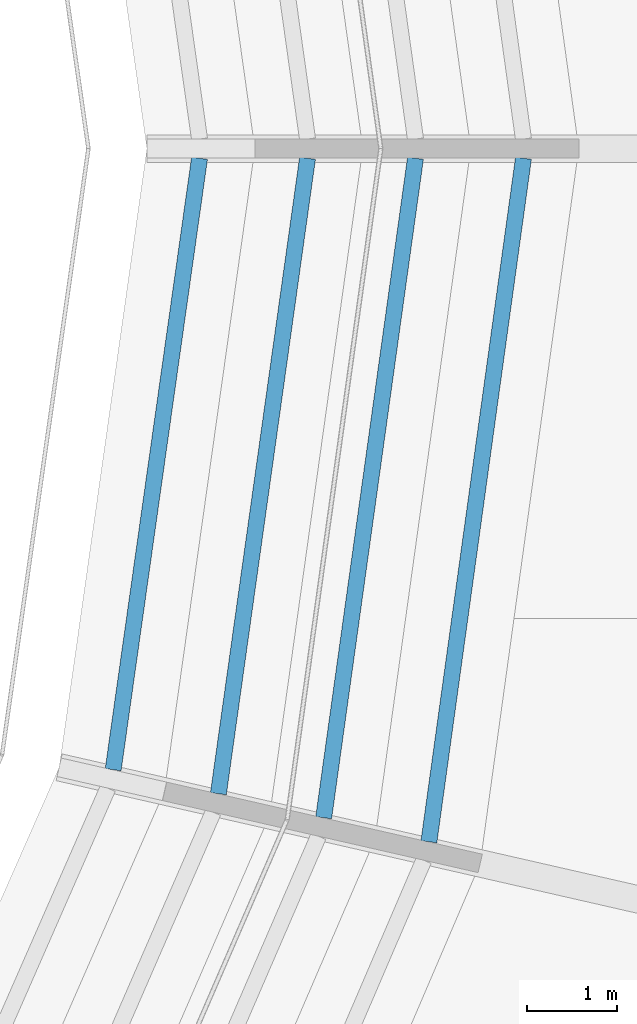
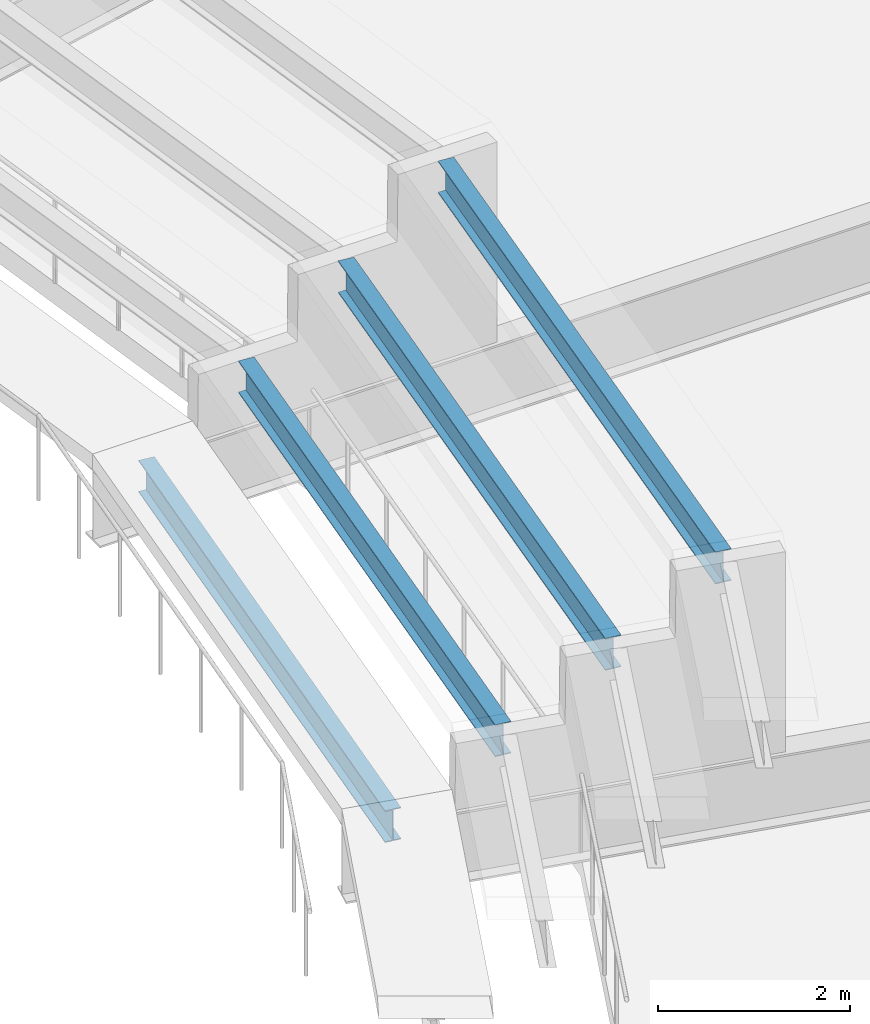
# One storey, part 40 of 122: 4 beams.
"""IFC4 building model written with IfcOpenShell, lengths in metres."""

import ifcopenshell
import ifcopenshell.guid

model = None  # the IFC model being written
_history = None  # IfcOwnerHistory: only IFC2X3 demands one
_inside = {}  # id of a spatial element -> (the spatial element, [elements in it])
_under = {}  # id of a project, library or spatial element -> (it, [spatial elements below it])
_declared = {}  # id of a project -> (the project, [libraries it declares])
_typed = {}  # id of a type object -> (the type object, [elements of that type])
_made_of = {}  # id of a material, layer set ... -> (it, [elements and type objects made of it])


def new_model(schema):
    """Start an empty IFC model of exactly this schema.

    Asked for "IFC4X3", IfcOpenShell would pick the latest addendum, in which some entities
    have other attributes; the version numbers below select the first issue.
    IFC2X3 requires an IfcOwnerHistory on every rooted entity: one is made here for all.
    """
    global model, _history
    if schema == "IFC4X3":
        model = ifcopenshell.file(schema_version=(4, 3, 0, 0))
    else:
        model = ifcopenshell.file(schema=schema)
    _inside.clear()
    _under.clear()
    _declared.clear()
    _typed.clear()
    _made_of.clear()
    _history = None
    if model.schema == "IFC2X3":
        org = make("IfcOrganization", Name="unknown")
        user = make(
            "IfcPersonAndOrganization",
            ThePerson=make("IfcPerson", FamilyName="unknown"),
            TheOrganization=org,
        )
        app = make(
            "IfcApplication",
            ApplicationDeveloper=org,
            Version="unknown",
            ApplicationFullName="unknown",
            ApplicationIdentifier="unknown",
        )
        _history = make(
            "IfcOwnerHistory",
            OwningUser=user,
            OwningApplication=app,
            ChangeAction="ADDED",
            CreationDate=0,
        )
    return model


def make(cls, **values):
    """One entity of the class cls with the attributes given. An attribute that is None is left unset."""
    return model.create_entity(
        cls, **{name: value for name, value in values.items() if value is not None}
    )


def rooted(cls, **values):
    """An entity with a GlobalId (a new one), such as an element, a storey or a relation."""
    return make(cls, GlobalId=ifcopenshell.guid.new(), OwnerHistory=_history, **values)


def si_unit(unit_type, name, prefix=None):
    """IfcSIUnit, for example si_unit("LENGTHUNIT", "METRE", prefix="MILLI")."""
    return make("IfcSIUnit", UnitType=unit_type, Prefix=prefix, Name=name)


def assignment(units):
    """IfcUnitAssignment: the units of a project."""
    return None if units is None else make("IfcUnitAssignment", Units=units)


def point(xyz):
    """IfcCartesianPoint."""
    return None if xyz is None else make("IfcCartesianPoint", Coordinates=xyz)


def direction(xyz):
    """IfcDirection."""
    return None if xyz is None else make("IfcDirection", DirectionRatios=xyz)


def frame(location, z_axis=None, x_axis=None):
    """IfcAxis2Placement3D, a coordinate frame: its origin and axes. An axis left out is left unset."""
    return make(
        "IfcAxis2Placement3D",
        Location=point(location),
        Axis=direction(z_axis),
        RefDirection=direction(x_axis),
    )


def frame_2d(location, x_axis=None):
    """IfcAxis2Placement2D, a coordinate frame in the plane: its origin and x axis."""
    return make(
        "IfcAxis2Placement2D", Location=point(location), RefDirection=direction(x_axis)
    )


def origin():
    """The frame at (0, 0, 0) with its axes left unset."""
    return frame((0.0, 0.0, 0.0))


def origin_2d():
    """The frame at (0, 0) in the plane with its x axis left unset."""
    return frame_2d((0.0, 0.0))


def place(relative_to, where):
    """IfcLocalPlacement: puts the frame where relative to a parent placement (None: the world)."""
    return make(
        "IfcLocalPlacement", PlacementRelTo=relative_to, RelativePlacement=where
    )


def context(
    kind, dimensions, precision=None, world=None, true_north=None, identifier=None
):
    """IfcGeometricRepresentationContext, for example the 3D "Model" context."""
    return make(
        "IfcGeometricRepresentationContext",
        ContextIdentifier=identifier,
        ContextType=kind,
        CoordinateSpaceDimension=dimensions,
        Precision=precision,
        WorldCoordinateSystem=world,
        TrueNorth=true_north,
    )


def subcontext(parent, identifier, kind, view, scale=None):
    """IfcGeometricRepresentationSubContext, for example "Body" below "Model"."""
    return make(
        "IfcGeometricRepresentationSubContext",
        ContextIdentifier=identifier,
        ContextType=kind,
        ParentContext=parent,
        TargetScale=scale,
        TargetView=view,
    )


def project(units=None, contexts=None):
    """IfcProject with its units and contexts."""
    return rooted(
        "IfcProject",
        Name="project",
        RepresentationContexts=contexts,
        UnitsInContext=assignment(units),
    )


def spatial(cls, under=None, at=None, **own):
    """A site, building, storey or space (cls), placed at a placement, below another one or the project."""
    s = rooted(cls, ObjectPlacement=at, **own)
    if under is not None:
        _under.setdefault(under.id(), (under, []))[1].append(s)
    return s


def profile(cls, at=None, kind="AREA", **sizes):
    """A parametric profile (cls). Its sizes go by their IFC names, for example OverallWidth=200.0."""
    return make(cls, ProfileType=kind, Position=at, **sizes)


def i_section(**sizes):
    """IfcIShapeProfileDef."""
    return profile("IfcIShapeProfileDef", **sizes)


def extrude(swept, where, along, depth):
    """IfcExtrudedAreaSolid: the profile swept, set in the frame where, extruded along a direction by depth."""
    return make(
        "IfcExtrudedAreaSolid",
        SweptArea=swept,
        Position=where,
        ExtrudedDirection=direction(along),
        Depth=depth,
    )


def shape(context_of_items, identifier, shape_type, items):
    """IfcShapeRepresentation: the items that make up one representation, for example the "Body"."""
    return make(
        "IfcShapeRepresentation",
        ContextOfItems=context_of_items,
        RepresentationIdentifier=identifier,
        RepresentationType=shape_type,
        Items=items,
    )


def material(Name=None, Category=None):
    """IfcMaterial."""
    return make("IfcMaterial", Name=Name, Category=Category)


def material_profile(
    of_material, cross_section, Name=None, Category=None, Priority=None
):
    """IfcMaterialProfile: a cross section and its material."""
    return make(
        "IfcMaterialProfile",
        Name=Name,
        Material=of_material,
        Profile=cross_section,
        Priority=Priority,
        Category=Category,
    )


def profile_set(profiles, Name=None, composite=None):
    """IfcMaterialProfileSet."""
    return make(
        "IfcMaterialProfileSet",
        Name=Name,
        MaterialProfiles=profiles,
        CompositeProfile=composite,
    )


def made_of(thing, what):
    """Note that an element or type object is made of a material, layer set ...; save() writes the relation."""
    if what is not None:
        _made_of.setdefault(what.id(), (what, []))[1].append(thing)
    return thing


def type_object(cls, material=None, **own):
    """A type object (cls), such as IfcWallType, which elements share."""
    return made_of(rooted(cls, **own), material)


def element(
    cls,
    number,
    at=None,
    inside=None,
    cuts=None,
    type_object=None,
    material=None,
    context=None,
    identifier="Body",
    shape_type=None,
    held_by="IfcProductDefinitionShape",
    body=None,
    shapes=None,
    **own,
):
    """One element of the class cls, such as IfcWall. Its Tag is "e" and its number.

    at: its placement. inside: the storey or other place that contains it. cuts: it is an
    opening in that element (IfcRelVoidsElement). A single representation is given by context,
    identifier, shape_type and body (its items); several are given by shapes. held_by: the class
    of the entity that holds the representations. save() writes the other relations.
    """
    e = rooted(cls, Tag="e%d" % number, ObjectPlacement=at, **own)
    if body is not None:
        shapes = [shape(context, identifier, shape_type, body)]
    if shapes is not None:
        e.Representation = make(held_by, Representations=shapes)
    if inside is not None:
        _inside.setdefault(inside.id(), (inside, []))[1].append(e)
    if cuts is not None:
        rooted(
            "IfcRelVoidsElement", RelatingBuildingElement=cuts, RelatedOpeningElement=e
        )
    if type_object is not None:
        _typed.setdefault(type_object.id(), (type_object, []))[1].append(e)
    return made_of(e, material)


def aggregate(whole, parts):
    """IfcRelAggregates: a whole, such as a stair, and the parts it consists of."""
    return rooted("IfcRelAggregates", RelatingObject=whole, RelatedObjects=parts)


def save(model, path):
    """Write the relations noted so far, then the file.

    IfcRelAggregates (storeys below a building ...), IfcRelContainedInSpatialStructure (elements
    in a storey), IfcRelDefinesByType, IfcRelAssociatesMaterial and IfcRelDeclares: one each for
    every whole, place, type object, material and project.
    """
    for whole, parts in _under.values():
        aggregate(whole, parts)
    for where, things in _inside.values():
        rooted(
            "IfcRelContainedInSpatialStructure",
            RelatedElements=things,
            RelatingStructure=where,
        )
    for kind, things in _typed.values():
        rooted("IfcRelDefinesByType", RelatedObjects=things, RelatingType=kind)
    for what, things in _made_of.values():
        rooted("IfcRelAssociatesMaterial", RelatedObjects=things, RelatingMaterial=what)
    for by, libraries in _declared.values():
        rooted("IfcRelDeclares", RelatingContext=by, RelatedDefinitions=libraries)
    model.write(path)


model = new_model("IFC4")

# Units and contexts
model_context = context("Model", 3, precision=1e-05, world=origin(), true_north=direction((0.0, 1.0)))
body_context = subcontext(model_context, "Body", "Model", "MODEL_VIEW")
ifc_project = project(units=[si_unit("LENGTHUNIT", "METRE"), si_unit("AREAUNIT", "SQUARE_METRE"), si_unit("VOLUMEUNIT", "CUBIC_METRE"), si_unit("PLANEANGLEUNIT", "RADIAN"), si_unit("MASSUNIT", "GRAM", prefix="KILO")], contexts=[model_context])

# Site, building, storey
site_placement = place(None, origin())
site = spatial("IfcSite", under=ifc_project, at=site_placement, CompositionType="ELEMENT")
building_placement = place(site_placement, origin())
building = spatial("IfcBuilding", under=site, at=building_placement, Name="Cuetzalor Civic Arena", CompositionType="ELEMENT")
storey_placement = place(building_placement, frame((0.0, 0.0, 16.199951171875)))
storey = spatial("IfcBuildingStorey", under=building, at=storey_placement, Name="L03", CompositionType="ELEMENT", Elevation=16.199951171875)

# Beams
ifc_material = material(Name="Steel S355", Category="steel")
ifc_material_profile = material_profile(ifc_material, i_section(OverallWidth=0.177978515625, OverallDepth=0.406982421875, WebThickness=0.0078125, FlangeThickness=0.0126953125, at=origin_2d()), Name="W410x60")
ifc_profile_set = profile_set([ifc_material_profile], Name="Steel S355")
beam_type = type_object("IfcBeamType", Name="SteelSecondaryBeam_W410", PredefinedType="BEAM", material=ifc_profile_set)
beam_1_placement = place(storey_placement, frame((38.52490234375, -6.902587890625, 0.70751953125), z_axis=(0.139872342407, 0.990169544992, 0.0), x_axis=(-0.990169544992, 0.139872342407, 0.0)))
element("IfcBeam", 1, at=beam_1_placement, inside=storey, type_object=beam_type, Name="Upper Bowl Tier Carrier Beam S28-R1", PredefinedType="BEAM", context=body_context, shape_type="SweptSolid", body=[
    extrude(i_section(OverallWidth=0.177978515625, OverallDepth=0.406982421875, WebThickness=0.0078125, FlangeThickness=0.0126953125, at=origin_2d()), origin(), (0.0, 0.0, 1.0), 6.863037109375),
])
beam_2_placement = place(storey_placement, frame((39.694580078125, -7.16943359375, 1.551513671875), z_axis=(0.138885554946, 0.990308438128, 0.0), x_axis=(-0.990308438128, 0.138885554946, 0.0)))
element("IfcBeam", 2, at=beam_2_placement, inside=storey, type_object=beam_type, Name="Upper Bowl Tier Carrier Beam S28-R2", PredefinedType="BEAM", context=body_context, shape_type="SweptSolid", body=[
    extrude(i_section(OverallWidth=0.177978515625, OverallDepth=0.406982421875, WebThickness=0.0078125, FlangeThickness=0.0126953125, at=origin_2d()), origin(), (0.0, 0.0, 1.0), 7.131591796875),
])
beam_3_placement = place(storey_placement, frame((40.864501953125, -7.4365234375, 2.401611328125), z_axis=(0.137901017398, 0.990446015389, 0.0), x_axis=(-0.990446015389, 0.137901017398, 0.0)))
element("IfcBeam", 3, at=beam_3_placement, inside=storey, type_object=beam_type, Name="Upper Bowl Tier Carrier Beam S28-R3", PredefinedType="BEAM", context=body_context, shape_type="SweptSolid", body=[
    extrude(i_section(OverallWidth=0.177978515625, OverallDepth=0.406982421875, WebThickness=0.0078125, FlangeThickness=0.0126953125, at=origin_2d()), origin(), (0.0, 0.0, 1.0), 7.400390625),
])
beam_4_placement = place(storey_placement, frame((42.0341796875, -7.70361328125, 3.25146484375), z_axis=(0.13704781732, 0.990564432921, 0.0), x_axis=(-0.990564432921, 0.13704781732, 0.0)))
element("IfcBeam", 4, at=beam_4_placement, inside=storey, type_object=beam_type, Name="Upper Bowl Tier Carrier Beam S28-R4", PredefinedType="BEAM", context=body_context, shape_type="SweptSolid", body=[
    extrude(i_section(OverallWidth=0.177978515625, OverallDepth=0.406982421875, WebThickness=0.0078125, FlangeThickness=0.0126953125, at=origin_2d()), origin(), (0.0, 0.0, 1.0), 7.6689453125),
])

save(model, "model.ifc")
